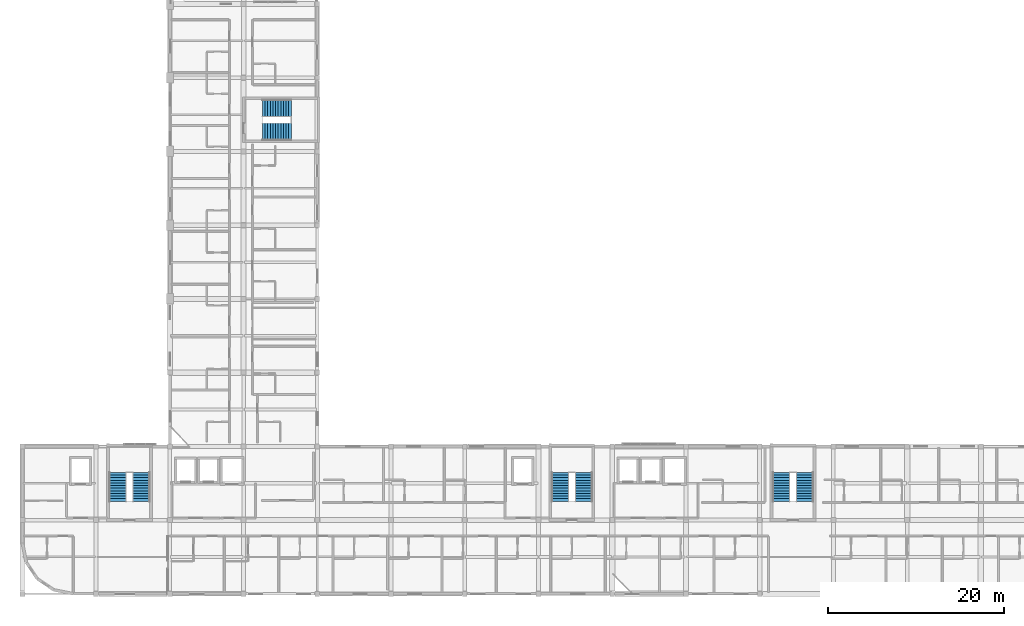
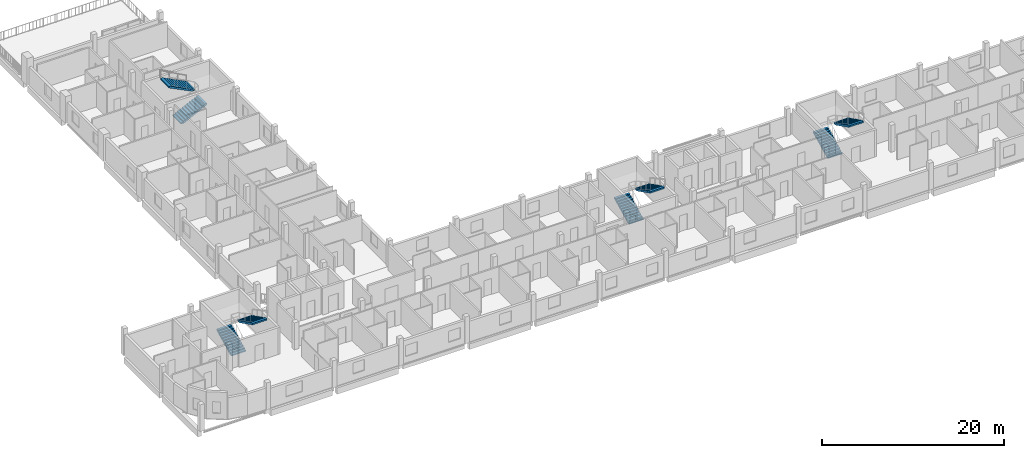
# One storey, part 23 of 26: 8 stair flights, 4 elements without a shape of their own.
"""IFC4 building model written with IfcOpenShell, lengths in metres."""

import ifcopenshell
import ifcopenshell.guid

model = None  # the IFC model being written
_history = None  # IfcOwnerHistory: only IFC2X3 demands one
_inside = {}  # id of a spatial element -> (the spatial element, [elements in it])
_under = {}  # id of a project, library or spatial element -> (it, [spatial elements below it])
_declared = {}  # id of a project -> (the project, [libraries it declares])
_typed = {}  # id of a type object -> (the type object, [elements of that type])
_made_of = {}  # id of a material, layer set ... -> (it, [elements and type objects made of it])


def new_model(schema):
    """Start an empty IFC model of exactly this schema.

    Asked for "IFC4X3", IfcOpenShell would pick the latest addendum, in which some entities
    have other attributes; the version numbers below select the first issue.
    IFC2X3 requires an IfcOwnerHistory on every rooted entity: one is made here for all.
    """
    global model, _history
    if schema == "IFC4X3":
        model = ifcopenshell.file(schema_version=(4, 3, 0, 0))
    else:
        model = ifcopenshell.file(schema=schema)
    _inside.clear()
    _under.clear()
    _declared.clear()
    _typed.clear()
    _made_of.clear()
    _history = None
    if model.schema == "IFC2X3":
        org = make("IfcOrganization", Name="unknown")
        user = make(
            "IfcPersonAndOrganization",
            ThePerson=make("IfcPerson", FamilyName="unknown"),
            TheOrganization=org,
        )
        app = make(
            "IfcApplication",
            ApplicationDeveloper=org,
            Version="unknown",
            ApplicationFullName="unknown",
            ApplicationIdentifier="unknown",
        )
        _history = make(
            "IfcOwnerHistory",
            OwningUser=user,
            OwningApplication=app,
            ChangeAction="ADDED",
            CreationDate=0,
        )
    return model


def make(cls, **values):
    """One entity of the class cls with the attributes given. An attribute that is None is left unset."""
    return model.create_entity(
        cls, **{name: value for name, value in values.items() if value is not None}
    )


def rooted(cls, **values):
    """An entity with a GlobalId (a new one), such as an element, a storey or a relation."""
    return make(cls, GlobalId=ifcopenshell.guid.new(), OwnerHistory=_history, **values)


def si_unit(unit_type, name, prefix=None):
    """IfcSIUnit, for example si_unit("LENGTHUNIT", "METRE", prefix="MILLI")."""
    return make("IfcSIUnit", UnitType=unit_type, Prefix=prefix, Name=name)


def derived_unit(unit_type, elements):
    """IfcDerivedUnit: a product of units, each with its exponent."""
    return make(
        "IfcDerivedUnit",
        Elements=[
            make("IfcDerivedUnitElement", Unit=unit, Exponent=power)
            for unit, power in elements
        ],
        UnitType=unit_type,
    )


def assignment(units):
    """IfcUnitAssignment: the units of a project."""
    return None if units is None else make("IfcUnitAssignment", Units=units)


def point(xyz):
    """IfcCartesianPoint."""
    return None if xyz is None else make("IfcCartesianPoint", Coordinates=xyz)


def direction(xyz):
    """IfcDirection."""
    return None if xyz is None else make("IfcDirection", DirectionRatios=xyz)


def frame(location, z_axis=None, x_axis=None):
    """IfcAxis2Placement3D, a coordinate frame: its origin and axes. An axis left out is left unset."""
    return make(
        "IfcAxis2Placement3D",
        Location=point(location),
        Axis=direction(z_axis),
        RefDirection=direction(x_axis),
    )


def origin():
    """The frame at (0, 0, 0) with its axes left unset."""
    return frame((0.0, 0.0, 0.0))


def place(relative_to, where):
    """IfcLocalPlacement: puts the frame where relative to a parent placement (None: the world)."""
    return make(
        "IfcLocalPlacement", PlacementRelTo=relative_to, RelativePlacement=where
    )


def context(
    kind, dimensions, precision=None, world=None, true_north=None, identifier=None
):
    """IfcGeometricRepresentationContext, for example the 3D "Model" context."""
    return make(
        "IfcGeometricRepresentationContext",
        ContextIdentifier=identifier,
        ContextType=kind,
        CoordinateSpaceDimension=dimensions,
        Precision=precision,
        WorldCoordinateSystem=world,
        TrueNorth=true_north,
    )


def subcontext(parent, identifier, kind, view, scale=None):
    """IfcGeometricRepresentationSubContext, for example "Body" below "Model"."""
    return make(
        "IfcGeometricRepresentationSubContext",
        ContextIdentifier=identifier,
        ContextType=kind,
        ParentContext=parent,
        TargetScale=scale,
        TargetView=view,
    )


def project(units=None, contexts=None):
    """IfcProject with its units and contexts."""
    return rooted(
        "IfcProject",
        Name="project",
        RepresentationContexts=contexts,
        UnitsInContext=assignment(units),
    )


def spatial(cls, under=None, at=None, **own):
    """A site, building, storey or space (cls), placed at a placement, below another one or the project."""
    s = rooted(cls, ObjectPlacement=at, **own)
    if under is not None:
        _under.setdefault(under.id(), (under, []))[1].append(s)
    return s


def polyline(points):
    """IfcPolyline through the points."""
    return make("IfcPolyline", Points=[point(p) for p in points])


def outline(outer, holes=None, kind="AREA"):
    """IfcArbitraryClosedProfileDef: a profile drawn as a closed curve; with holes, ...WithVoids."""
    if holes is None:
        return make("IfcArbitraryClosedProfileDef", ProfileType=kind, OuterCurve=outer)
    return make(
        "IfcArbitraryProfileDefWithVoids",
        ProfileType=kind,
        OuterCurve=outer,
        InnerCurves=holes,
    )


def extrude(swept, where, along, depth):
    """IfcExtrudedAreaSolid: the profile swept, set in the frame where, extruded along a direction by depth."""
    return make(
        "IfcExtrudedAreaSolid",
        SweptArea=swept,
        Position=where,
        ExtrudedDirection=direction(along),
        Depth=depth,
    )


def shape(context_of_items, identifier, shape_type, items):
    """IfcShapeRepresentation: the items that make up one representation, for example the "Body"."""
    return make(
        "IfcShapeRepresentation",
        ContextOfItems=context_of_items,
        RepresentationIdentifier=identifier,
        RepresentationType=shape_type,
        Items=items,
    )


def material(Name=None, Category=None):
    """IfcMaterial."""
    return make("IfcMaterial", Name=Name, Category=Category)


def made_of(thing, what):
    """Note that an element or type object is made of a material, layer set ...; save() writes the relation."""
    if what is not None:
        _made_of.setdefault(what.id(), (what, []))[1].append(thing)
    return thing


def type_object(cls, material=None, **own):
    """A type object (cls), such as IfcWallType, which elements share."""
    return made_of(rooted(cls, **own), material)


def element(
    cls,
    number,
    at=None,
    inside=None,
    cuts=None,
    type_object=None,
    material=None,
    context=None,
    identifier="Body",
    shape_type=None,
    held_by="IfcProductDefinitionShape",
    body=None,
    shapes=None,
    **own,
):
    """One element of the class cls, such as IfcWall. Its Tag is "e" and its number.

    at: its placement. inside: the storey or other place that contains it. cuts: it is an
    opening in that element (IfcRelVoidsElement). A single representation is given by context,
    identifier, shape_type and body (its items); several are given by shapes. held_by: the class
    of the entity that holds the representations. save() writes the other relations.
    """
    e = rooted(cls, Tag="e%d" % number, ObjectPlacement=at, **own)
    if body is not None:
        shapes = [shape(context, identifier, shape_type, body)]
    if shapes is not None:
        e.Representation = make(held_by, Representations=shapes)
    if inside is not None:
        _inside.setdefault(inside.id(), (inside, []))[1].append(e)
    if cuts is not None:
        rooted(
            "IfcRelVoidsElement", RelatingBuildingElement=cuts, RelatedOpeningElement=e
        )
    if type_object is not None:
        _typed.setdefault(type_object.id(), (type_object, []))[1].append(e)
    return made_of(e, material)


def aggregate(whole, parts):
    """IfcRelAggregates: a whole, such as a stair, and the parts it consists of."""
    return rooted("IfcRelAggregates", RelatingObject=whole, RelatedObjects=parts)


def save(model, path):
    """Write the relations noted so far, then the file.

    IfcRelAggregates (storeys below a building ...), IfcRelContainedInSpatialStructure (elements
    in a storey), IfcRelDefinesByType, IfcRelAssociatesMaterial and IfcRelDeclares: one each for
    every whole, place, type object, material and project.
    """
    for whole, parts in _under.values():
        aggregate(whole, parts)
    for where, things in _inside.values():
        rooted(
            "IfcRelContainedInSpatialStructure",
            RelatedElements=things,
            RelatingStructure=where,
        )
    for kind, things in _typed.values():
        rooted("IfcRelDefinesByType", RelatedObjects=things, RelatingType=kind)
    for what, things in _made_of.values():
        rooted("IfcRelAssociatesMaterial", RelatedObjects=things, RelatingMaterial=what)
    for by, libraries in _declared.values():
        rooted("IfcRelDeclares", RelatingContext=by, RelatedDefinitions=libraries)
    model.write(path)


model = new_model("IFC4")

# Units and contexts
model_context = context("Model", 3, precision=1e-05, world=origin(), true_north=direction((0.0, 1.0)))
body_context = subcontext(model_context, "Body", "Model", "MODEL_VIEW")
ifc_project = project(units=[si_unit("LENGTHUNIT", "METRE"), si_unit("AREAUNIT", "SQUARE_METRE"), si_unit("VOLUMEUNIT", "CUBIC_METRE"), si_unit("PLANEANGLEUNIT", "RADIAN"), si_unit("MASSUNIT", "GRAM", prefix="KILO"), derived_unit("THERMALTRANSMITTANCEUNIT", [(si_unit("POWERUNIT", "WATT"), 1), (si_unit("LENGTHUNIT", "METRE"), -2), (si_unit("THERMODYNAMICTEMPERATUREUNIT", "KELVIN"), -1)])], contexts=[model_context])

# Site, building, storey
site_placement = place(None, origin())
site = spatial("IfcSite", under=ifc_project, at=site_placement, CompositionType="ELEMENT")
building_placement = place(site_placement, origin())
building = spatial("IfcBuilding", under=site, at=building_placement, Name="Barrovel Congress Hotel", CompositionType="ELEMENT")
storey_placement = place(building_placement, frame((0.0, 0.0, 32.699951171875)))
storey = spatial("IfcBuildingStorey", under=building, at=storey_placement, Name="L08", CompositionType="ELEMENT", Elevation=32.699951171875)

# Stair, stair flights
ifc_material = material(Name="Concrete C40", Category="concrete")
stair_type_1 = type_object("IfcStairType", Name="STR-HT-360", PredefinedType="HALF_TURN_STAIR", material=ifc_material)
stair_1_placement = place(storey_placement, origin())
stair_1 = element("IfcStair", 1, at=stair_1_placement, inside=storey, type_object=stair_type_1, Name="Exit Stair XS-01 (L08)", PredefinedType="HALF_TURN_STAIR")
stair_flight_type_1 = type_object("IfcStairFlightType", Name="SFL-200x180", PredefinedType="STRAIGHT", material=ifc_material)
stair_flight_1_placement = place(storey_placement, frame((27.679931640625, 14.739990234375, 0.0), z_axis=(0.0, 0.0, 1.0), x_axis=(0.0, 1.0, 0.0)))
stair_flight_1 = element("IfcStairFlight", 2, at=stair_flight_1_placement, type_object=stair_flight_type_1, Name="STAIR:XS-01:L08:F1", NumberOfRisers=12, NumberOfTreads=11, PredefinedType="STRAIGHT", RiserHeight=0.15, TreadLength=0.3, context=body_context, shape_type="SweptSolid", body=[
    extrude(outline(polyline([(0.0, 0.0), (0.0, 0.14990234375), (0.300048828125, 0.14990234375), (0.300048828125, 0.300048828125), (0.60009765625, 0.300048828125), (0.60009765625, 0.449951171875), (0.89990234375, 0.449951171875), (0.89990234375, 0.60009765625), (1.199951171875, 0.60009765625), (1.199951171875, 0.75), (1.5, 0.75), (1.5, 0.89990234375), (1.800048828125, 0.89990234375), (1.800048828125, 1.050048828125), (2.10009765625, 1.050048828125), (2.10009765625, 1.199951171875), (2.39990234375, 1.199951171875), (2.39990234375, 1.35009765625), (2.699951171875, 1.35009765625), (2.699951171875, 1.5), (3.0, 1.5), (3.0, 1.64990234375), (3.300048828125, 1.64990234375), (3.300048828125, 1.800048828125), (3.300048828125, 1.44873046875), (0.40234375, 0.0), (0.0, 0.0)])), frame((0.0, 0.919921875, 0.0), z_axis=(0.0, -1.0, 0.0), x_axis=(1.0, 0.0, 0.0)), (0.0, 0.0, 1.0), 1.840087890625),
])
stair_flight_2_placement = place(storey_placement, frame((30.320068359375, 18.0400390625, 1.800048828125), z_axis=(0.0, 0.0, 1.0), x_axis=(0.0, -1.0, 0.0)))
stair_flight_2 = element("IfcStairFlight", 3, at=stair_flight_2_placement, type_object=stair_flight_type_1, Name="STAIR:XS-01:L08:F2", NumberOfRisers=12, NumberOfTreads=11, PredefinedType="STRAIGHT", RiserHeight=0.15, TreadLength=0.3, context=body_context, shape_type="SweptSolid", body=[
    extrude(outline(polyline([(0.0, 0.0), (0.0, 0.14990234375), (0.300048828125, 0.14990234375), (0.300048828125, 0.300048828125), (0.60009765625, 0.300048828125), (0.60009765625, 0.449951171875), (0.89990234375, 0.449951171875), (0.89990234375, 0.60009765625), (1.199951171875, 0.60009765625), (1.199951171875, 0.75), (1.5, 0.75), (1.5, 0.89990234375), (1.800048828125, 0.89990234375), (1.800048828125, 1.050048828125), (2.10009765625, 1.050048828125), (2.10009765625, 1.199951171875), (2.39990234375, 1.199951171875), (2.39990234375, 1.35009765625), (2.699951171875, 1.35009765625), (2.699951171875, 1.5), (3.0, 1.5), (3.0, 1.64990234375), (3.300048828125, 1.64990234375), (3.300048828125, 1.800048828125), (3.300048828125, 1.44873046875), (0.40234375, 0.0), (0.0, 0.0)])), frame((0.0, 0.919921875, 0.0), z_axis=(0.0, -1.0, 0.0), x_axis=(1.0, 0.0, 0.0)), (0.0, 0.0, 1.0), 1.840087890625),
])
aggregate(stair_1, [stair_flight_1, stair_flight_2])

stair_2_placement = place(storey_placement, origin())
stair_2 = element("IfcStair", 4, at=stair_2_placement, inside=storey, type_object=stair_type_1, Name="Exit Stair XS-02 (L08)", PredefinedType="HALF_TURN_STAIR")
stair_flight_3_placement = place(storey_placement, frame((78.080078125, 14.739990234375, 0.0), z_axis=(0.0, 0.0, 1.0), x_axis=(0.0, 1.0, 0.0)))
stair_flight_3 = element("IfcStairFlight", 5, at=stair_flight_3_placement, type_object=stair_flight_type_1, Name="STAIR:XS-02:L08:F1", NumberOfRisers=12, NumberOfTreads=11, PredefinedType="STRAIGHT", RiserHeight=0.15, TreadLength=0.3, context=body_context, shape_type="SweptSolid", body=[
    extrude(outline(polyline([(0.0, 0.0), (0.0, 0.14990234375), (0.300048828125, 0.14990234375), (0.300048828125, 0.300048828125), (0.60009765625, 0.300048828125), (0.60009765625, 0.449951171875), (0.89990234375, 0.449951171875), (0.89990234375, 0.60009765625), (1.199951171875, 0.60009765625), (1.199951171875, 0.75), (1.5, 0.75), (1.5, 0.89990234375), (1.800048828125, 0.89990234375), (1.800048828125, 1.050048828125), (2.10009765625, 1.050048828125), (2.10009765625, 1.199951171875), (2.39990234375, 1.199951171875), (2.39990234375, 1.35009765625), (2.699951171875, 1.35009765625), (2.699951171875, 1.5), (3.0, 1.5), (3.0, 1.64990234375), (3.300048828125, 1.64990234375), (3.300048828125, 1.800048828125), (3.300048828125, 1.44873046875), (0.40234375, 0.0), (0.0, 0.0)])), frame((0.0, 0.919921875, 0.0), z_axis=(0.0, -1.0, 0.0), x_axis=(1.0, 0.0, 0.0)), (0.0, 0.0, 1.0), 1.840087890625),
])
stair_flight_4_placement = place(storey_placement, frame((80.719970703125, 18.0400390625, 1.800048828125), z_axis=(0.0, 0.0, 1.0), x_axis=(0.0, -1.0, 0.0)))
stair_flight_4 = element("IfcStairFlight", 6, at=stair_flight_4_placement, type_object=stair_flight_type_1, Name="STAIR:XS-02:L08:F2", NumberOfRisers=12, NumberOfTreads=11, PredefinedType="STRAIGHT", RiserHeight=0.15, TreadLength=0.3, context=body_context, shape_type="SweptSolid", body=[
    extrude(outline(polyline([(0.0, 0.0), (0.0, 0.14990234375), (0.300048828125, 0.14990234375), (0.300048828125, 0.300048828125), (0.60009765625, 0.300048828125), (0.60009765625, 0.449951171875), (0.89990234375, 0.449951171875), (0.89990234375, 0.60009765625), (1.199951171875, 0.60009765625), (1.199951171875, 0.75), (1.5, 0.75), (1.5, 0.89990234375), (1.800048828125, 0.89990234375), (1.800048828125, 1.050048828125), (2.10009765625, 1.050048828125), (2.10009765625, 1.199951171875), (2.39990234375, 1.199951171875), (2.39990234375, 1.35009765625), (2.699951171875, 1.35009765625), (2.699951171875, 1.5), (3.0, 1.5), (3.0, 1.64990234375), (3.300048828125, 1.64990234375), (3.300048828125, 1.800048828125), (3.300048828125, 1.44873046875), (0.40234375, 0.0), (0.0, 0.0)])), frame((0.0, 0.919921875, 0.0), z_axis=(0.0, -1.0, 0.0), x_axis=(1.0, 0.0, 0.0)), (0.0, 0.0, 1.0), 1.840087890625),
])
aggregate(stair_2, [stair_flight_3, stair_flight_4])

stair_3_placement = place(storey_placement, origin())
stair_3 = element("IfcStair", 7, at=stair_3_placement, inside=storey, type_object=stair_type_1, Name="Exit Stair XS-03 (L08)", PredefinedType="HALF_TURN_STAIR")
stair_flight_5_placement = place(storey_placement, frame((103.280029296875, 14.739990234375, 0.0), z_axis=(0.0, 0.0, 1.0), x_axis=(0.0, 1.0, 0.0)))
stair_flight_5 = element("IfcStairFlight", 8, at=stair_flight_5_placement, type_object=stair_flight_type_1, Name="STAIR:XS-03:L08:F1", NumberOfRisers=12, NumberOfTreads=11, PredefinedType="STRAIGHT", RiserHeight=0.15, TreadLength=0.3, context=body_context, shape_type="SweptSolid", body=[
    extrude(outline(polyline([(0.0, 0.0), (0.0, 0.14990234375), (0.300048828125, 0.14990234375), (0.300048828125, 0.300048828125), (0.60009765625, 0.300048828125), (0.60009765625, 0.449951171875), (0.89990234375, 0.449951171875), (0.89990234375, 0.60009765625), (1.199951171875, 0.60009765625), (1.199951171875, 0.75), (1.5, 0.75), (1.5, 0.89990234375), (1.800048828125, 0.89990234375), (1.800048828125, 1.050048828125), (2.10009765625, 1.050048828125), (2.10009765625, 1.199951171875), (2.39990234375, 1.199951171875), (2.39990234375, 1.35009765625), (2.699951171875, 1.35009765625), (2.699951171875, 1.5), (3.0, 1.5), (3.0, 1.64990234375), (3.300048828125, 1.64990234375), (3.300048828125, 1.800048828125), (3.300048828125, 1.44873046875), (0.40234375, 0.0), (0.0, 0.0)])), frame((0.0, 0.919921875, 0.0), z_axis=(0.0, -1.0, 0.0), x_axis=(1.0, 0.0, 0.0)), (0.0, 0.0, 1.0), 1.840087890625),
])
stair_flight_6_placement = place(storey_placement, frame((105.919921875, 18.0400390625, 1.800048828125), z_axis=(0.0, 0.0, 1.0), x_axis=(0.0, -1.0, 0.0)))
stair_flight_6 = element("IfcStairFlight", 9, at=stair_flight_6_placement, type_object=stair_flight_type_1, Name="STAIR:XS-03:L08:F2", NumberOfRisers=12, NumberOfTreads=11, PredefinedType="STRAIGHT", RiserHeight=0.15, TreadLength=0.3, context=body_context, shape_type="SweptSolid", body=[
    extrude(outline(polyline([(0.0, 0.0), (0.0, 0.14990234375), (0.300048828125, 0.14990234375), (0.300048828125, 0.300048828125), (0.60009765625, 0.300048828125), (0.60009765625, 0.449951171875), (0.89990234375, 0.449951171875), (0.89990234375, 0.60009765625), (1.199951171875, 0.60009765625), (1.199951171875, 0.75), (1.5, 0.75), (1.5, 0.89990234375), (1.800048828125, 0.89990234375), (1.800048828125, 1.050048828125), (2.10009765625, 1.050048828125), (2.10009765625, 1.199951171875), (2.39990234375, 1.199951171875), (2.39990234375, 1.35009765625), (2.699951171875, 1.35009765625), (2.699951171875, 1.5), (3.0, 1.5), (3.0, 1.64990234375), (3.300048828125, 1.64990234375), (3.300048828125, 1.800048828125), (3.300048828125, 1.44873046875), (0.40234375, 0.0), (0.0, 0.0)])), frame((0.0, 0.919921875, 0.0), z_axis=(0.0, -1.0, 0.0), x_axis=(1.0, 0.0, 0.0)), (0.0, 0.0, 1.0), 1.840087890625),
])
aggregate(stair_3, [stair_flight_5, stair_flight_6])

stair_type_2 = type_object("IfcStairType", Name="STR-DR-360", PredefinedType="DOUBLE_RETURN_STAIR", material=ifc_material)
stair_4_placement = place(storey_placement, origin())
stair_4 = element("IfcStair", 10, at=stair_4_placement, inside=storey, type_object=stair_type_2, Name="Exit Stair XS-05 (L08)", PredefinedType="DOUBLE_RETURN_STAIR")
stair_flight_type_2 = type_object("IfcStairFlightType", Name="SFL-205x180", PredefinedType="STRAIGHT", material=ifc_material)
stair_flight_7_placement = place(storey_placement, frame((44.139892578125, 56.889892578125, 0.0), z_axis=(0.0, 0.0, 1.0), x_axis=(1.0, 0.0, 0.0)))
stair_flight_7 = element("IfcStairFlight", 11, at=stair_flight_7_placement, type_object=stair_flight_type_2, Name="STAIR:XS-05:L08:F1", NumberOfRisers=12, NumberOfTreads=11, PredefinedType="STRAIGHT", RiserHeight=0.15, TreadLength=0.3, context=body_context, shape_type="SweptSolid", body=[
    extrude(outline(polyline([(0.0, 0.0), (0.0, 0.14990234375), (0.300048828125, 0.14990234375), (0.300048828125, 0.300048828125), (0.60009765625, 0.300048828125), (0.60009765625, 0.449951171875), (0.89990234375, 0.449951171875), (0.89990234375, 0.60009765625), (1.199951171875, 0.60009765625), (1.199951171875, 0.75), (1.5, 0.75), (1.5, 0.89990234375), (1.800048828125, 0.89990234375), (1.800048828125, 1.050048828125), (2.10009765625, 1.050048828125), (2.10009765625, 1.199951171875), (2.39990234375, 1.199951171875), (2.39990234375, 1.35009765625), (2.699951171875, 1.35009765625), (2.699951171875, 1.5), (3.0, 1.5), (3.0, 1.64990234375), (3.300048828125, 1.64990234375), (3.300048828125, 1.800048828125), (3.300048828125, 1.44873046875), (0.40234375, 0.0), (0.0, 0.0)])), frame((0.0, 0.93017578125, 0.0), z_axis=(0.0, -1.0, 0.0), x_axis=(1.0, 0.0, 0.0)), (0.0, 0.0, 1.0), 1.860107421875),
])
stair_flight_8_placement = place(storey_placement, frame((47.43994140625, 59.510009765625, 1.800048828125), z_axis=(0.0, 0.0, 1.0), x_axis=(-1.0, 0.0, 0.0)))
stair_flight_8 = element("IfcStairFlight", 12, at=stair_flight_8_placement, type_object=stair_flight_type_2, Name="STAIR:XS-05:L08:F2", NumberOfRisers=12, NumberOfTreads=11, PredefinedType="STRAIGHT", RiserHeight=0.15, TreadLength=0.3, context=body_context, shape_type="SweptSolid", body=[
    extrude(outline(polyline([(0.0, 0.0), (0.0, 0.14990234375), (0.300048828125, 0.14990234375), (0.300048828125, 0.300048828125), (0.60009765625, 0.300048828125), (0.60009765625, 0.449951171875), (0.89990234375, 0.449951171875), (0.89990234375, 0.60009765625), (1.199951171875, 0.60009765625), (1.199951171875, 0.75), (1.5, 0.75), (1.5, 0.89990234375), (1.800048828125, 0.89990234375), (1.800048828125, 1.050048828125), (2.10009765625, 1.050048828125), (2.10009765625, 1.199951171875), (2.39990234375, 1.199951171875), (2.39990234375, 1.35009765625), (2.699951171875, 1.35009765625), (2.699951171875, 1.5), (3.0, 1.5), (3.0, 1.64990234375), (3.300048828125, 1.64990234375), (3.300048828125, 1.800048828125), (3.300048828125, 1.44873046875), (0.40234375, 0.0), (0.0, 0.0)])), frame((0.0, 0.93017578125, 0.0), z_axis=(0.0, -1.0, 0.0), x_axis=(1.0, 0.0, 0.0)), (0.0, 0.0, 1.0), 1.860107421875),
])
aggregate(stair_4, [stair_flight_7, stair_flight_8])

save(model, "model.ifc")
